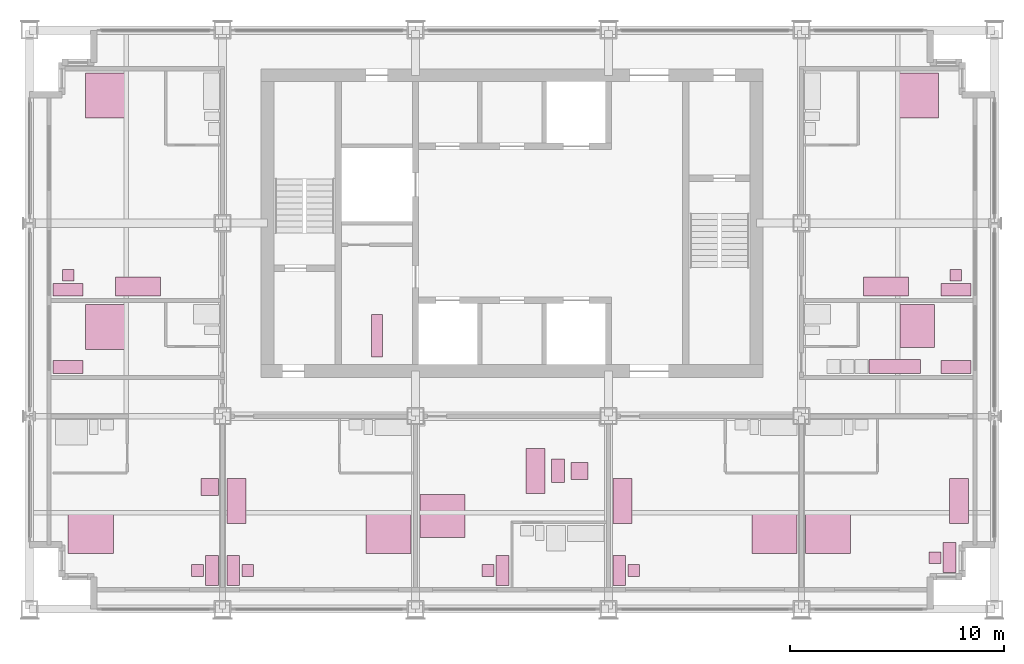
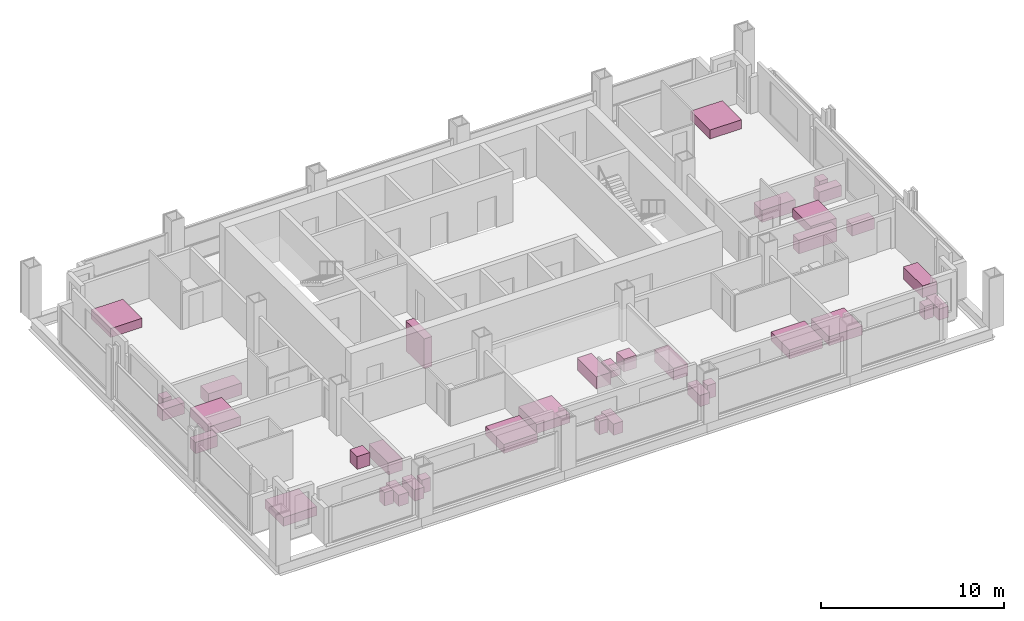
# One storey, part 13 of 13: 36 furniture elements.
"""IFC4 building model written with IfcOpenShell, lengths in metres."""

from ifc_helpers import new_model, si_unit, direction, frame, origin, origin_2d, place, context, subcontext, project, spatial, rectangle, extrude, element, save


model = new_model("IFC4")

# Units and contexts
model_context = context("Model", 3, precision=1e-05, world=origin(), true_north=direction((0.0, 1.0)))
body_context = subcontext(model_context, "Body", "Model", "MODEL_VIEW")
ifc_project = project(units=[si_unit("LENGTHUNIT", "METRE"), si_unit("AREAUNIT", "SQUARE_METRE"), si_unit("VOLUMEUNIT", "CUBIC_METRE"), si_unit("PLANEANGLEUNIT", "RADIAN"), si_unit("MASSUNIT", "GRAM", prefix="KILO")], contexts=[model_context])

# Site, building, storey
site_placement = place(None, origin())
site = spatial("IfcSite", under=ifc_project, at=site_placement, CompositionType="ELEMENT")
building_placement = place(site_placement, origin())
building = spatial("IfcBuilding", under=site, at=building_placement, Name="Loomwork Tower", CompositionType="ELEMENT")
storey_placement = place(building_placement, frame((0.0, 0.0, 177.39990234375)))
storey = spatial("IfcBuildingStorey", under=building, at=storey_placement, Name="L48", CompositionType="ELEMENT", Elevation=177.39990234375)

# Furniture
furniture_1_placement = place(storey_placement, frame((2.85009765625, 3.60009765625, 0.0), z_axis=(0.0, 0.0, 1.0), x_axis=(1.0, 0.0, 0.0)))
element("IfcFurniture", 1, at=furniture_1_placement, inside=storey, Name="King bed L48", PredefinedType="BED", context=body_context, shape_type="SweptSolid", body=[
    extrude(rectangle(XDim=2.10009765625, YDim=2.0, at=origin_2d()), origin(), (0.0, 0.0, 1.0), 0.60009765625),
])
furniture_2_placement = place(storey_placement, frame((8.5, 1.800048828125, 0.0), z_axis=(0.0, 0.0, 1.0), x_axis=(1.0, 0.0, 0.0)))
element("IfcFurniture", 2, at=furniture_2_placement, inside=storey, Name="Writing desk L48", PredefinedType="DESK", context=body_context, shape_type="SweptSolid", body=[
    extrude(rectangle(XDim=0.60009765625, YDim=1.39990234375, at=origin_2d()), origin(), (0.0, 0.0, 1.0), 0.75),
])
furniture_3_placement = place(storey_placement, frame((7.824951171875, 1.800048828125, 0.000244140625), z_axis=(0.0, 0.0, 1.0), x_axis=(1.0, 0.0, 0.0)))
element("IfcFurniture", 3, at=furniture_3_placement, inside=storey, Name="Desk chair L48", PredefinedType="CHAIR", context=body_context, shape_type="SweptSolid", body=[
    extrude(rectangle(XDim=0.550048828125, YDim=0.550048828125, at=origin_2d()), origin(), (0.0, 0.0, 1.0), 0.89990234375),
])
furniture_4_placement = place(storey_placement, frame((8.39990234375, 5.699951171875, 0.0), z_axis=(0.0, 0.0, 1.0), x_axis=(1.0, 0.0, 0.0)))
element("IfcFurniture", 4, at=furniture_4_placement, inside=storey, Name="Lounge armchair L48", PredefinedType="CHAIR", context=body_context, shape_type="SweptSolid", body=[
    extrude(rectangle(XDim=0.800048828125, YDim=0.800048828125, at=origin_2d()), origin(), (0.0, 0.0, 1.0), 0.85009765625),
])
furniture_5_placement = place(storey_placement, frame((16.75, 3.60009765625, 0.0), z_axis=(0.0, 0.0, 1.0), x_axis=(1.0, 0.0, 0.0)))
element("IfcFurniture", 5, at=furniture_5_placement, inside=storey, Name="King bed L48", PredefinedType="BED", context=body_context, shape_type="SweptSolid", body=[
    extrude(rectangle(XDim=2.10009765625, YDim=2.0, at=origin_2d()), origin(), (0.0, 0.0, 1.0), 0.60009765625),
])
furniture_6_placement = place(storey_placement, frame((9.5, 1.800048828125, 0.0), z_axis=(0.0, 0.0, 1.0), x_axis=(1.0, 0.0, 0.0)))
element("IfcFurniture", 6, at=furniture_6_placement, inside=storey, Name="Writing desk L48", PredefinedType="DESK", context=body_context, shape_type="SweptSolid", body=[
    extrude(rectangle(XDim=0.60009765625, YDim=1.39990234375, at=origin_2d()), origin(), (0.0, 0.0, 1.0), 0.75),
])
furniture_7_placement = place(storey_placement, frame((10.175048828125, 1.800048828125, 0.000244140625), z_axis=(0.0, 0.0, 1.0), x_axis=(1.0, 0.0, 0.0)))
element("IfcFurniture", 7, at=furniture_7_placement, inside=storey, Name="Desk chair L48", PredefinedType="CHAIR", context=body_context, shape_type="SweptSolid", body=[
    extrude(rectangle(XDim=0.550048828125, YDim=0.550048828125, at=origin_2d()), origin(), (0.0, 0.0, 1.0), 0.89990234375),
])
furniture_8_placement = place(storey_placement, frame((9.64990234375, 5.050048828125, 0.0), z_axis=(0.0, 0.0, 1.0), x_axis=(1.0, 0.0, 0.0)))
element("IfcFurniture", 8, at=furniture_8_placement, inside=storey, Name="Sofa L48", PredefinedType="SOFA", context=body_context, shape_type="SweptSolid", body=[
    extrude(rectangle(XDim=0.89990234375, YDim=2.10009765625, at=origin_2d()), origin(), (0.0, 0.0, 1.0), 0.800048828125),
])
furniture_9_placement = place(storey_placement, frame((19.25, 4.35009765625, 0.0), z_axis=(0.0, 0.0, 1.0), x_axis=(1.0, 0.0, 0.0)))
element("IfcFurniture", 9, at=furniture_9_placement, inside=storey, Name="King bed L48", PredefinedType="BED", context=body_context, shape_type="SweptSolid", body=[
    extrude(rectangle(XDim=2.10009765625, YDim=2.0, at=origin_2d()), origin(), (0.0, 0.0, 1.0), 0.60009765625),
])
furniture_10_placement = place(storey_placement, frame((22.050048828125, 1.800048828125, 0.0), z_axis=(0.0, 0.0, 1.0), x_axis=(1.0, 0.0, 0.0)))
element("IfcFurniture", 10, at=furniture_10_placement, inside=storey, Name="Writing desk L48", PredefinedType="DESK", context=body_context, shape_type="SweptSolid", body=[
    extrude(rectangle(XDim=0.60009765625, YDim=1.39990234375, at=origin_2d()), origin(), (0.0, 0.0, 1.0), 0.75),
])
furniture_11_placement = place(storey_placement, frame((21.375, 1.800048828125, 0.000244140625), z_axis=(0.0, 0.0, 1.0), x_axis=(1.0, 0.0, 0.0)))
element("IfcFurniture", 11, at=furniture_11_placement, inside=storey, Name="Desk chair L48", PredefinedType="CHAIR", context=body_context, shape_type="SweptSolid", body=[
    extrude(rectangle(XDim=0.550048828125, YDim=0.550048828125, at=origin_2d()), origin(), (0.0, 0.0, 1.0), 0.89990234375),
])
furniture_12_placement = place(storey_placement, frame((23.60009765625, 6.449951171875, 0.0), z_axis=(0.0, 0.0, 1.0), x_axis=(1.0, 0.0, 0.0)))
element("IfcFurniture", 12, at=furniture_12_placement, inside=storey, Name="Sofa L48", PredefinedType="SOFA", context=body_context, shape_type="SweptSolid", body=[
    extrude(rectangle(XDim=0.89990234375, YDim=2.10009765625, at=origin_2d()), origin(), (0.0, 0.0, 1.0), 0.800048828125),
])
furniture_13_placement = place(storey_placement, frame((24.64990234375, 6.449951171875, 0.0), z_axis=(0.0, 0.0, 1.0), x_axis=(1.0, 0.0, 0.0)))
element("IfcFurniture", 13, at=furniture_13_placement, inside=storey, Name="Coffee table L48", PredefinedType="TABLE", context=body_context, shape_type="SweptSolid", body=[
    extrude(rectangle(XDim=0.60009765625, YDim=1.10009765625, at=origin_2d()), origin(), (0.0, 0.0, 1.0), 0.449951171875),
])
furniture_14_placement = place(storey_placement, frame((25.64990234375, 6.449951171875, 0.0), z_axis=(0.0, 0.0, 1.0), x_axis=(1.0, 0.0, 0.0)))
element("IfcFurniture", 14, at=furniture_14_placement, inside=storey, Name="Lounge armchair L48", PredefinedType="CHAIR", context=body_context, shape_type="SweptSolid", body=[
    extrude(rectangle(XDim=0.800048828125, YDim=0.800048828125, at=origin_2d()), origin(), (0.0, 0.0, 1.0), 0.85009765625),
])
furniture_15_placement = place(storey_placement, frame((34.75, 3.60009765625, 0.0), z_axis=(0.0, 0.0, 1.0), x_axis=(1.0, 0.0, 0.0)))
element("IfcFurniture", 15, at=furniture_15_placement, inside=storey, Name="King bed L48", PredefinedType="BED", context=body_context, shape_type="SweptSolid", body=[
    extrude(rectangle(XDim=2.10009765625, YDim=2.0, at=origin_2d()), origin(), (0.0, 0.0, 1.0), 0.60009765625),
])
furniture_16_placement = place(storey_placement, frame((27.5, 1.800048828125, 0.0), z_axis=(0.0, 0.0, 1.0), x_axis=(1.0, 0.0, 0.0)))
element("IfcFurniture", 16, at=furniture_16_placement, inside=storey, Name="Writing desk L48", PredefinedType="DESK", context=body_context, shape_type="SweptSolid", body=[
    extrude(rectangle(XDim=0.60009765625, YDim=1.39990234375, at=origin_2d()), origin(), (0.0, 0.0, 1.0), 0.75),
])
furniture_17_placement = place(storey_placement, frame((28.175048828125, 1.800048828125, 0.000244140625), z_axis=(0.0, 0.0, 1.0), x_axis=(1.0, 0.0, 0.0)))
element("IfcFurniture", 17, at=furniture_17_placement, inside=storey, Name="Desk chair L48", PredefinedType="CHAIR", context=body_context, shape_type="SweptSolid", body=[
    extrude(rectangle(XDim=0.550048828125, YDim=0.550048828125, at=origin_2d()), origin(), (0.0, 0.0, 1.0), 0.89990234375),
])
furniture_18_placement = place(storey_placement, frame((27.64990234375, 5.050048828125, 0.0), z_axis=(0.0, 0.0, 1.0), x_axis=(1.0, 0.0, 0.0)))
element("IfcFurniture", 18, at=furniture_18_placement, inside=storey, Name="Sofa L48", PredefinedType="SOFA", context=body_context, shape_type="SweptSolid", body=[
    extrude(rectangle(XDim=0.89990234375, YDim=2.10009765625, at=origin_2d()), origin(), (0.0, 0.0, 1.0), 0.800048828125),
])
furniture_19_placement = place(storey_placement, frame((37.25, 3.60009765625, 0.0), z_axis=(0.0, 0.0, 1.0), x_axis=(1.0, 0.0, 0.0)))
element("IfcFurniture", 19, at=furniture_19_placement, inside=storey, Name="King bed L48", PredefinedType="BED", context=body_context, shape_type="SweptSolid", body=[
    extrude(rectangle(XDim=2.10009765625, YDim=2.0, at=origin_2d()), origin(), (0.0, 0.0, 1.0), 0.60009765625),
])
furniture_20_placement = place(storey_placement, frame((42.89990234375, 2.39990234375, 0.0), z_axis=(0.0, 0.0, 1.0), x_axis=(1.0, 0.0, 0.0)))
element("IfcFurniture", 20, at=furniture_20_placement, inside=storey, Name="Writing desk L48", PredefinedType="DESK", context=body_context, shape_type="SweptSolid", body=[
    extrude(rectangle(XDim=0.60009765625, YDim=1.39990234375, at=origin_2d()), origin(), (0.0, 0.0, 1.0), 0.75),
])
furniture_21_placement = place(storey_placement, frame((42.22509765625, 2.39990234375, 0.000244140625), z_axis=(0.0, 0.0, 1.0), x_axis=(1.0, 0.0, 0.0)))
element("IfcFurniture", 21, at=furniture_21_placement, inside=storey, Name="Desk chair L48", PredefinedType="CHAIR", context=body_context, shape_type="SweptSolid", body=[
    extrude(rectangle(XDim=0.550048828125, YDim=0.550048828125, at=origin_2d()), origin(), (0.0, 0.0, 1.0), 0.89990234375),
])
furniture_22_placement = place(storey_placement, frame((43.35009765625, 5.050048828125, 0.0), z_axis=(0.0, 0.0, 1.0), x_axis=(1.0, 0.0, 0.0)))
element("IfcFurniture", 22, at=furniture_22_placement, inside=storey, Name="Sofa L48", PredefinedType="SOFA", context=body_context, shape_type="SweptSolid", body=[
    extrude(rectangle(XDim=0.89990234375, YDim=2.10009765625, at=origin_2d()), origin(), (0.0, 0.0, 1.0), 0.800048828125),
])
furniture_23_placement = place(storey_placement, frame((3.60009765625, 13.14990234375, 0.0), z_axis=(0.0, 0.0, 1.0), x_axis=(1.0, 0.0, 0.0)))
element("IfcFurniture", 23, at=furniture_23_placement, inside=storey, Name="King bed L48", PredefinedType="BED", context=body_context, shape_type="SweptSolid", body=[
    extrude(rectangle(XDim=2.0, YDim=2.10009765625, at=origin_2d()), origin(), (0.0, 0.0, 1.0), 0.60009765625),
])
furniture_24_placement = place(storey_placement, frame((1.800048828125, 11.300048828125, 0.0), z_axis=(0.0, 0.0, 1.0), x_axis=(1.0, 0.0, 0.0)))
element("IfcFurniture", 24, at=furniture_24_placement, inside=storey, Name="Writing desk L48", PredefinedType="DESK", context=body_context, shape_type="SweptSolid", body=[
    extrude(rectangle(XDim=1.39990234375, YDim=0.60009765625, at=origin_2d()), origin(), (0.0, 0.0, 1.0), 0.75),
])
furniture_25_placement = place(storey_placement, frame((3.60009765625, 23.949951171875, 0.0), z_axis=(0.0, 0.0, 1.0), x_axis=(1.0, 0.0, 0.0)))
element("IfcFurniture", 25, at=furniture_25_placement, inside=storey, Name="King bed L48", PredefinedType="BED", context=body_context, shape_type="SweptSolid", body=[
    extrude(rectangle(XDim=2.0, YDim=2.10009765625, at=origin_2d()), origin(), (0.0, 0.0, 1.0), 0.60009765625),
])
furniture_26_placement = place(storey_placement, frame((1.800048828125, 14.89990234375, 0.0), z_axis=(0.0, 0.0, 1.0), x_axis=(1.0, 0.0, 0.0)))
element("IfcFurniture", 26, at=furniture_26_placement, inside=storey, Name="Writing desk L48", PredefinedType="DESK", context=body_context, shape_type="SweptSolid", body=[
    extrude(rectangle(XDim=1.39990234375, YDim=0.60009765625, at=origin_2d()), origin(), (0.0, 0.0, 1.0), 0.75),
])
furniture_27_placement = place(storey_placement, frame((1.800048828125, 15.574951171875, 0.000244140625), z_axis=(0.0, 0.0, 1.0), x_axis=(1.0, 0.0, 0.0)))
element("IfcFurniture", 27, at=furniture_27_placement, inside=storey, Name="Desk chair L48", PredefinedType="CHAIR", context=body_context, shape_type="SweptSolid", body=[
    extrude(rectangle(XDim=0.550048828125, YDim=0.550048828125, at=origin_2d()), origin(), (0.0, 0.0, 1.0), 0.89990234375),
])
furniture_28_placement = place(storey_placement, frame((5.050048828125, 15.050048828125, 0.0), z_axis=(0.0, 0.0, 1.0), x_axis=(1.0, 0.0, 0.0)))
element("IfcFurniture", 28, at=furniture_28_placement, inside=storey, Name="Sofa L48", PredefinedType="SOFA", context=body_context, shape_type="SweptSolid", body=[
    extrude(rectangle(XDim=2.10009765625, YDim=0.89990234375, at=origin_2d()), origin(), (0.0, 0.0, 1.0), 0.800048828125),
])
furniture_29_placement = place(storey_placement, frame((41.39990234375, 13.199951171875, 0.0), z_axis=(0.0, 0.0, 1.0), x_axis=(1.0, 0.0, 0.0)))
element("IfcFurniture", 29, at=furniture_29_placement, inside=storey, Name="Queen bed L48", PredefinedType="BED", context=body_context, shape_type="SweptSolid", body=[
    extrude(rectangle(XDim=1.60009765625, YDim=2.0, at=origin_2d()), origin(), (0.0, 0.0, 1.0), 0.60009765625),
])
furniture_30_placement = place(storey_placement, frame((43.199951171875, 11.300048828125, 0.0), z_axis=(0.0, 0.0, 1.0), x_axis=(1.0, 0.0, 0.0)))
element("IfcFurniture", 30, at=furniture_30_placement, inside=storey, Name="Writing desk L48", PredefinedType="DESK", context=body_context, shape_type="SweptSolid", body=[
    extrude(rectangle(XDim=1.39990234375, YDim=0.60009765625, at=origin_2d()), origin(), (0.0, 0.0, 1.0), 0.75),
])
furniture_31_placement = place(storey_placement, frame((40.35009765625, 11.324951171875, 0.000244140625), z_axis=(0.0, 0.0, 1.0), x_axis=(1.0, 0.0, 0.0)))
element("IfcFurniture", 31, at=furniture_31_placement, inside=storey, Name="Kitchenette counter L48", ObjectType="KITCHENETTE", PredefinedType="USERDEFINED", context=body_context, shape_type="SweptSolid", body=[
    extrude(rectangle(XDim=2.39990234375, YDim=0.64990234375, at=origin_2d()), origin(), (0.0, 0.0, 1.0), 0.89990234375),
])
furniture_32_placement = place(storey_placement, frame((41.39990234375, 23.949951171875, 0.0), z_axis=(0.0, 0.0, 1.0), x_axis=(1.0, 0.0, 0.0)))
element("IfcFurniture", 32, at=furniture_32_placement, inside=storey, Name="King bed L48", PredefinedType="BED", context=body_context, shape_type="SweptSolid", body=[
    extrude(rectangle(XDim=2.0, YDim=2.10009765625, at=origin_2d()), origin(), (0.0, 0.0, 1.0), 0.60009765625),
])
furniture_33_placement = place(storey_placement, frame((43.199951171875, 14.89990234375, 0.0), z_axis=(0.0, 0.0, 1.0), x_axis=(1.0, 0.0, 0.0)))
element("IfcFurniture", 33, at=furniture_33_placement, inside=storey, Name="Writing desk L48", PredefinedType="DESK", context=body_context, shape_type="SweptSolid", body=[
    extrude(rectangle(XDim=1.39990234375, YDim=0.60009765625, at=origin_2d()), origin(), (0.0, 0.0, 1.0), 0.75),
])
furniture_34_placement = place(storey_placement, frame((43.199951171875, 15.574951171875, 0.000244140625), z_axis=(0.0, 0.0, 1.0), x_axis=(1.0, 0.0, 0.0)))
element("IfcFurniture", 34, at=furniture_34_placement, inside=storey, Name="Desk chair L48", PredefinedType="CHAIR", context=body_context, shape_type="SweptSolid", body=[
    extrude(rectangle(XDim=0.550048828125, YDim=0.550048828125, at=origin_2d()), origin(), (0.0, 0.0, 1.0), 0.89990234375),
])
furniture_35_placement = place(storey_placement, frame((39.949951171875, 15.050048828125, 0.0), z_axis=(0.0, 0.0, 1.0), x_axis=(1.0, 0.0, 0.0)))
element("IfcFurniture", 35, at=furniture_35_placement, inside=storey, Name="Sofa L48", PredefinedType="SOFA", context=body_context, shape_type="SweptSolid", body=[
    extrude(rectangle(XDim=2.10009765625, YDim=0.89990234375, at=origin_2d()), origin(), (0.0, 0.0, 1.0), 0.800048828125),
])
furniture_36_placement = place(storey_placement, frame((16.199951171875, 12.75, 0.0), z_axis=(0.0, 0.0, 1.0), x_axis=(1.0, 0.0, 0.0)))
element("IfcFurniture", 36, at=furniture_36_placement, inside=storey, Name="Linen shelving L48", PredefinedType="SHELF", context=body_context, shape_type="SweptSolid", body=[
    extrude(rectangle(XDim=0.5, YDim=2.0, at=origin_2d()), origin(), (0.0, 0.0, 1.0), 2.0),
])

save(model, "model.ifc")
